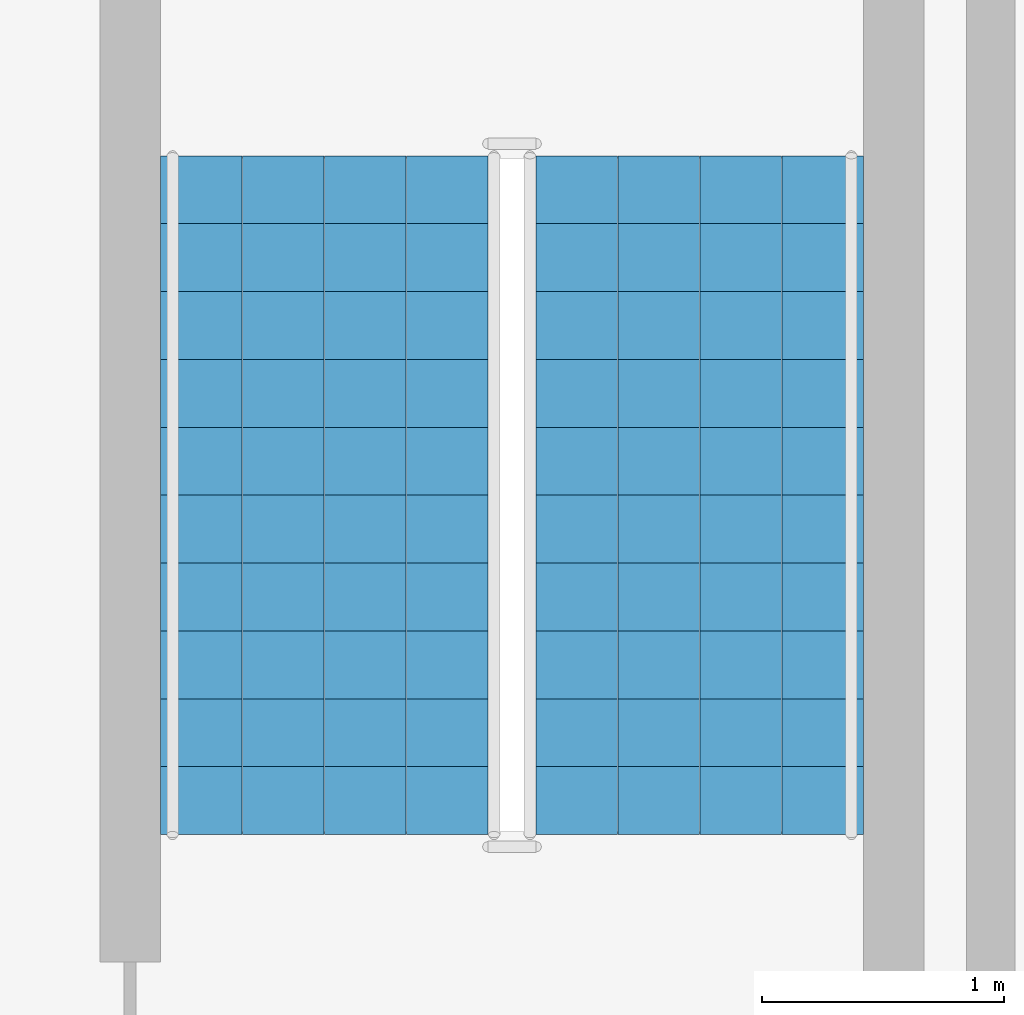
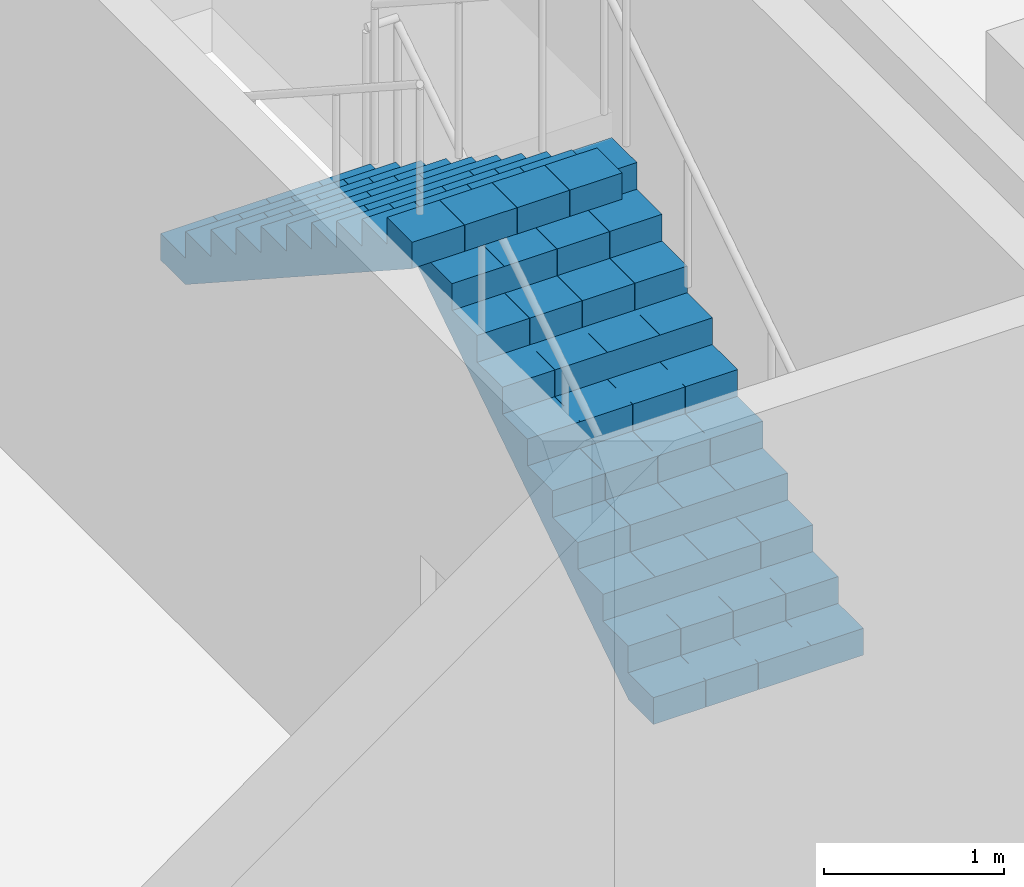
# One storey, part 12 of 18: 2 stair flights, 1 element without a shape of its own.
"""IFC4 building model written with IfcOpenShell, lengths in metres."""

from ifc_helpers import new_model, si_unit, direction, frame, origin, place, context, subcontext, project, spatial, polyline, outline, extrude, material, type_object, element, aggregate, save


model = new_model("IFC4")

# Units and contexts
model_context = context("Model", 3, precision=1e-05, world=origin(), true_north=direction((0.0, 1.0)))
body_context = subcontext(model_context, "Body", "Model", "MODEL_VIEW")
ifc_project = project(units=[si_unit("LENGTHUNIT", "METRE"), si_unit("AREAUNIT", "SQUARE_METRE"), si_unit("VOLUMEUNIT", "CUBIC_METRE"), si_unit("PLANEANGLEUNIT", "RADIAN"), si_unit("MASSUNIT", "GRAM", prefix="KILO")], contexts=[model_context])

# Site, building, storey
site_placement = place(None, origin())
site = spatial("IfcSite", under=ifc_project, at=site_placement, CompositionType="ELEMENT")
building_placement = place(site_placement, origin())
building = spatial("IfcBuilding", under=site, at=building_placement, Name="Cantera Rosa Tower", CompositionType="ELEMENT")
storey_placement = place(building_placement, frame((0.0, 0.0, -9.0)))
storey = spatial("IfcBuildingStorey", under=building, at=storey_placement, Name="B2", CompositionType="ELEMENT", Elevation=-9.0)

# Stair, stair flights
ifc_material_1 = material(Name="Concrete C35/45", Category="concrete")
stair_type = type_object("IfcStairType", Name="Stair half-turn 1350", PredefinedType="HALF_TURN_STAIR", material=ifc_material_1)
stair_placement = place(storey_placement, origin())
stair = element("IfcStair", 1, at=stair_placement, inside=storey, type_object=stair_type, Name="B2 ST-NE", PredefinedType="HALF_TURN_STAIR")
ifc_material_2 = material(Name="Concrete C35/45", Category="concrete")
stair_flight_type = type_object("IfcStairFlightType", Name="Stair flight 1350", PredefinedType="STRAIGHT", material=ifc_material_2)
stair_flight_1_placement = place(storey_placement, frame((31.5, 21.125, 0.0), z_axis=(0.0, 0.0, 1.0), x_axis=(0.0, 1.0, 0.0)))
stair_flight_1 = element("IfcStairFlight", 2, at=stair_flight_1_placement, type_object=stair_flight_type, Name="ST-NE flight 1", NumberOfRisers=11, NumberOfTreads=10, PredefinedType="STRAIGHT", RiserHeight=0.181818182, TreadLength=0.28, context=body_context, shape_type="SweptSolid", body=[
    extrude(outline(polyline([(0.0, 0.0), (0.0, 0.181884765625), (0.280029296875, 0.181884765625), (0.280029296875, 0.363525390625), (0.56005859375, 0.363525390625), (0.56005859375, 0.54541015625), (0.840087890625, 0.54541015625), (0.840087890625, 0.727294921875), (1.1201171875, 0.727294921875), (1.1201171875, 0.9091796875), (1.39990234375, 0.9091796875), (1.39990234375, 1.0908203125), (1.679931640625, 1.0908203125), (1.679931640625, 1.272705078125), (1.9599609375, 1.272705078125), (1.9599609375, 1.45458984375), (2.239990234375, 1.45458984375), (2.239990234375, 1.636474609375), (2.52001953125, 1.636474609375), (2.52001953125, 1.818115234375), (2.800048828125, 1.818115234375), (2.800048828125, 2.0), (2.800048828125, 1.639404296875), (0.275146484375, 0.0), (0.0, 0.0)])), frame((0.0, 0.675048828125, 0.0), z_axis=(0.0, -1.0, 0.0), x_axis=(1.0, 0.0, 0.0)), (0.0, 0.0, 1.0), 0.3359375),
    extrude(outline(polyline([(0.0, 0.0), (0.0, 0.181884765625), (0.280029296875, 0.181884765625), (0.280029296875, 0.363525390625), (0.56005859375, 0.363525390625), (0.56005859375, 0.54541015625), (0.840087890625, 0.54541015625), (0.840087890625, 0.727294921875), (1.1201171875, 0.727294921875), (1.1201171875, 0.9091796875), (1.39990234375, 0.9091796875), (1.39990234375, 1.0908203125), (1.679931640625, 1.0908203125), (1.679931640625, 1.272705078125), (1.9599609375, 1.272705078125), (1.9599609375, 1.45458984375), (2.239990234375, 1.45458984375), (2.239990234375, 1.636474609375), (2.52001953125, 1.636474609375), (2.52001953125, 1.818115234375), (2.800048828125, 1.818115234375), (2.800048828125, 2.0), (2.800048828125, 1.639404296875), (0.275146484375, 0.0), (0.0, 0.0)])), frame((0.0, 0.337158203125, 0.0), z_axis=(0.0, -1.0, 0.0), x_axis=(1.0, 0.0, 0.0)), (0.0, 0.0, 1.0), 0.3359375),
    extrude(outline(polyline([(0.0, 0.0), (0.0, 0.181884765625), (0.280029296875, 0.181884765625), (0.280029296875, 0.363525390625), (0.56005859375, 0.363525390625), (0.56005859375, 0.54541015625), (0.840087890625, 0.54541015625), (0.840087890625, 0.727294921875), (1.1201171875, 0.727294921875), (1.1201171875, 0.9091796875), (1.39990234375, 0.9091796875), (1.39990234375, 1.0908203125), (1.679931640625, 1.0908203125), (1.679931640625, 1.272705078125), (1.9599609375, 1.272705078125), (1.9599609375, 1.45458984375), (2.239990234375, 1.45458984375), (2.239990234375, 1.636474609375), (2.52001953125, 1.636474609375), (2.52001953125, 1.818115234375), (2.800048828125, 1.818115234375), (2.800048828125, 2.0), (2.800048828125, 1.639404296875), (0.275146484375, 0.0), (0.0, 0.0)])), frame((0.0, -0.000732421875, 0.0), z_axis=(0.0, -1.0, 0.0), x_axis=(1.0, 0.0, 0.0)), (0.0, 0.0, 1.0), 0.3359375),
    extrude(outline(polyline([(0.0, 0.0), (0.0, 0.181884765625), (0.280029296875, 0.181884765625), (0.280029296875, 0.363525390625), (0.56005859375, 0.363525390625), (0.56005859375, 0.54541015625), (0.840087890625, 0.54541015625), (0.840087890625, 0.727294921875), (1.1201171875, 0.727294921875), (1.1201171875, 0.9091796875), (1.39990234375, 0.9091796875), (1.39990234375, 1.0908203125), (1.679931640625, 1.0908203125), (1.679931640625, 1.272705078125), (1.9599609375, 1.272705078125), (1.9599609375, 1.45458984375), (2.239990234375, 1.45458984375), (2.239990234375, 1.636474609375), (2.52001953125, 1.636474609375), (2.52001953125, 1.818115234375), (2.800048828125, 1.818115234375), (2.800048828125, 2.0), (2.800048828125, 1.639404296875), (0.275146484375, 0.0), (0.0, 0.0)])), frame((0.0, -0.338623046875, 0.0), z_axis=(0.0, -1.0, 0.0), x_axis=(1.0, 0.0, 0.0)), (0.0, 0.0, 1.0), 0.3359375),
])
stair_flight_2_placement = place(storey_placement, frame((29.949951171875, 23.925048828125, 2.0), z_axis=(0.0, 0.0, 1.0), x_axis=(0.0, -1.0, 0.0)))
stair_flight_2 = element("IfcStairFlight", 3, at=stair_flight_2_placement, type_object=stair_flight_type, Name="ST-NE flight 2", NumberOfRisers=11, NumberOfTreads=10, PredefinedType="STRAIGHT", RiserHeight=0.181818182, TreadLength=0.28, context=body_context, shape_type="SweptSolid", body=[
    extrude(outline(polyline([(0.0, 0.0), (0.0, 0.181884765625), (0.280029296875, 0.181884765625), (0.280029296875, 0.363525390625), (0.56005859375, 0.363525390625), (0.56005859375, 0.54541015625), (0.840087890625, 0.54541015625), (0.840087890625, 0.727294921875), (1.1201171875, 0.727294921875), (1.1201171875, 0.9091796875), (1.39990234375, 0.9091796875), (1.39990234375, 1.0908203125), (1.679931640625, 1.0908203125), (1.679931640625, 1.272705078125), (1.9599609375, 1.272705078125), (1.9599609375, 1.45458984375), (2.239990234375, 1.45458984375), (2.239990234375, 1.636474609375), (2.52001953125, 1.636474609375), (2.52001953125, 1.818115234375), (2.800048828125, 1.818115234375), (2.800048828125, 2.0), (2.800048828125, 1.639404296875), (0.275146484375, 0.0), (0.0, 0.0)])), frame((0.0, 0.675048828125, 0.0), z_axis=(0.0, -1.0, 0.0), x_axis=(1.0, 0.0, 0.0)), (0.0, 0.0, 1.0), 0.3359375),
    extrude(outline(polyline([(0.0, 0.0), (0.0, 0.181884765625), (0.280029296875, 0.181884765625), (0.280029296875, 0.363525390625), (0.56005859375, 0.363525390625), (0.56005859375, 0.54541015625), (0.840087890625, 0.54541015625), (0.840087890625, 0.727294921875), (1.1201171875, 0.727294921875), (1.1201171875, 0.9091796875), (1.39990234375, 0.9091796875), (1.39990234375, 1.0908203125), (1.679931640625, 1.0908203125), (1.679931640625, 1.272705078125), (1.9599609375, 1.272705078125), (1.9599609375, 1.45458984375), (2.239990234375, 1.45458984375), (2.239990234375, 1.636474609375), (2.52001953125, 1.636474609375), (2.52001953125, 1.818115234375), (2.800048828125, 1.818115234375), (2.800048828125, 2.0), (2.800048828125, 1.639404296875), (0.275146484375, 0.0), (0.0, 0.0)])), frame((0.0, 0.337158203125, 0.0), z_axis=(0.0, -1.0, 0.0), x_axis=(1.0, 0.0, 0.0)), (0.0, 0.0, 1.0), 0.3359375),
    extrude(outline(polyline([(0.0, 0.0), (0.0, 0.181884765625), (0.280029296875, 0.181884765625), (0.280029296875, 0.363525390625), (0.56005859375, 0.363525390625), (0.56005859375, 0.54541015625), (0.840087890625, 0.54541015625), (0.840087890625, 0.727294921875), (1.1201171875, 0.727294921875), (1.1201171875, 0.9091796875), (1.39990234375, 0.9091796875), (1.39990234375, 1.0908203125), (1.679931640625, 1.0908203125), (1.679931640625, 1.272705078125), (1.9599609375, 1.272705078125), (1.9599609375, 1.45458984375), (2.239990234375, 1.45458984375), (2.239990234375, 1.636474609375), (2.52001953125, 1.636474609375), (2.52001953125, 1.818115234375), (2.800048828125, 1.818115234375), (2.800048828125, 2.0), (2.800048828125, 1.639404296875), (0.275146484375, 0.0), (0.0, 0.0)])), frame((0.0, -0.000732421875, 0.0), z_axis=(0.0, -1.0, 0.0), x_axis=(1.0, 0.0, 0.0)), (0.0, 0.0, 1.0), 0.3359375),
    extrude(outline(polyline([(0.0, 0.0), (0.0, 0.181884765625), (0.280029296875, 0.181884765625), (0.280029296875, 0.363525390625), (0.56005859375, 0.363525390625), (0.56005859375, 0.54541015625), (0.840087890625, 0.54541015625), (0.840087890625, 0.727294921875), (1.1201171875, 0.727294921875), (1.1201171875, 0.9091796875), (1.39990234375, 0.9091796875), (1.39990234375, 1.0908203125), (1.679931640625, 1.0908203125), (1.679931640625, 1.272705078125), (1.9599609375, 1.272705078125), (1.9599609375, 1.45458984375), (2.239990234375, 1.45458984375), (2.239990234375, 1.636474609375), (2.52001953125, 1.636474609375), (2.52001953125, 1.818115234375), (2.800048828125, 1.818115234375), (2.800048828125, 2.0), (2.800048828125, 1.639404296875), (0.275146484375, 0.0), (0.0, 0.0)])), frame((0.0, -0.338623046875, 0.0), z_axis=(0.0, -1.0, 0.0), x_axis=(1.0, 0.0, 0.0)), (0.0, 0.0, 1.0), 0.3359375),
])
aggregate(stair, [stair_flight_1, stair_flight_2])

save(model, "model.ifc")
